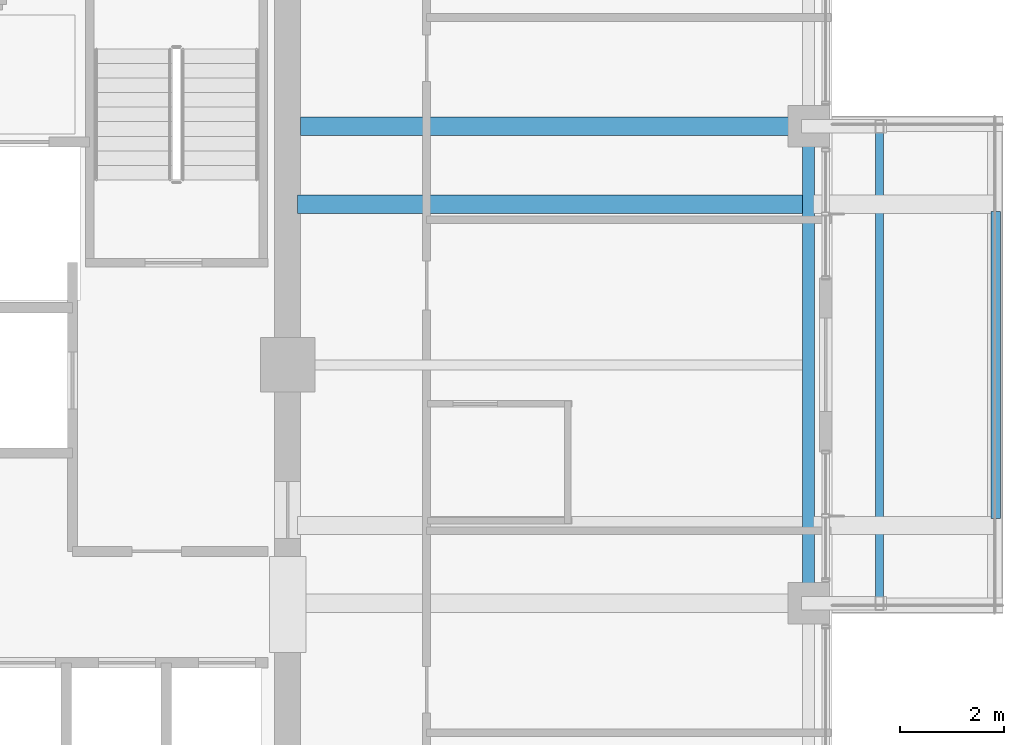
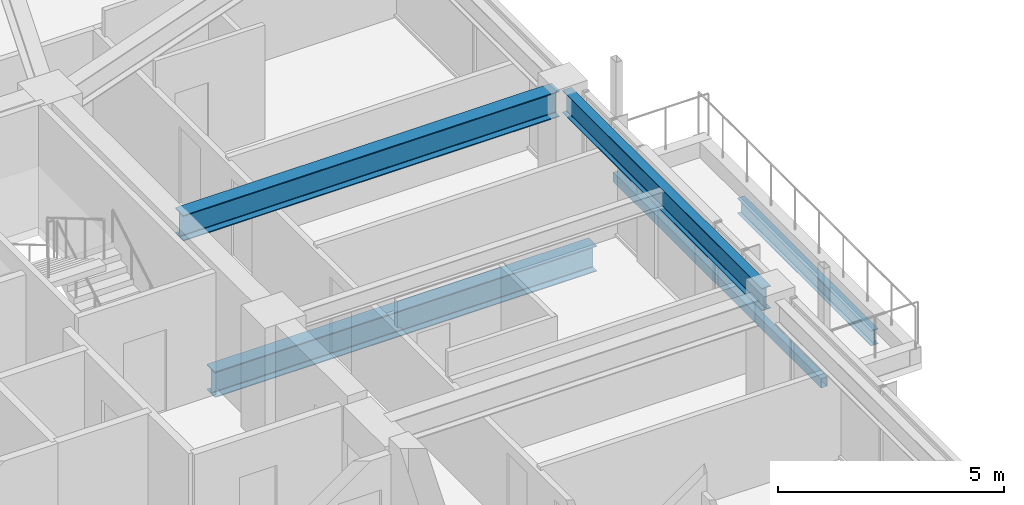
# One storey, part 15 of 38: 4 beams, 1 member.
"""IFC4 building model written with IfcOpenShell, lengths in metres."""

import ifcopenshell
import ifcopenshell.guid

model = None  # the IFC model being written
_history = None  # IfcOwnerHistory: only IFC2X3 demands one
_inside = {}  # id of a spatial element -> (the spatial element, [elements in it])
_under = {}  # id of a project, library or spatial element -> (it, [spatial elements below it])
_declared = {}  # id of a project -> (the project, [libraries it declares])
_typed = {}  # id of a type object -> (the type object, [elements of that type])
_made_of = {}  # id of a material, layer set ... -> (it, [elements and type objects made of it])


def new_model(schema):
    """Start an empty IFC model of exactly this schema.

    Asked for "IFC4X3", IfcOpenShell would pick the latest addendum, in which some entities
    have other attributes; the version numbers below select the first issue.
    IFC2X3 requires an IfcOwnerHistory on every rooted entity: one is made here for all.
    """
    global model, _history
    if schema == "IFC4X3":
        model = ifcopenshell.file(schema_version=(4, 3, 0, 0))
    else:
        model = ifcopenshell.file(schema=schema)
    _inside.clear()
    _under.clear()
    _declared.clear()
    _typed.clear()
    _made_of.clear()
    _history = None
    if model.schema == "IFC2X3":
        org = make("IfcOrganization", Name="unknown")
        user = make(
            "IfcPersonAndOrganization",
            ThePerson=make("IfcPerson", FamilyName="unknown"),
            TheOrganization=org,
        )
        app = make(
            "IfcApplication",
            ApplicationDeveloper=org,
            Version="unknown",
            ApplicationFullName="unknown",
            ApplicationIdentifier="unknown",
        )
        _history = make(
            "IfcOwnerHistory",
            OwningUser=user,
            OwningApplication=app,
            ChangeAction="ADDED",
            CreationDate=0,
        )
    return model


def make(cls, **values):
    """One entity of the class cls with the attributes given. An attribute that is None is left unset."""
    return model.create_entity(
        cls, **{name: value for name, value in values.items() if value is not None}
    )


def rooted(cls, **values):
    """An entity with a GlobalId (a new one), such as an element, a storey or a relation."""
    return make(cls, GlobalId=ifcopenshell.guid.new(), OwnerHistory=_history, **values)


def si_unit(unit_type, name, prefix=None):
    """IfcSIUnit, for example si_unit("LENGTHUNIT", "METRE", prefix="MILLI")."""
    return make("IfcSIUnit", UnitType=unit_type, Prefix=prefix, Name=name)


def assignment(units):
    """IfcUnitAssignment: the units of a project."""
    return None if units is None else make("IfcUnitAssignment", Units=units)


def point(xyz):
    """IfcCartesianPoint."""
    return None if xyz is None else make("IfcCartesianPoint", Coordinates=xyz)


def direction(xyz):
    """IfcDirection."""
    return None if xyz is None else make("IfcDirection", DirectionRatios=xyz)


def frame(location, z_axis=None, x_axis=None):
    """IfcAxis2Placement3D, a coordinate frame: its origin and axes. An axis left out is left unset."""
    return make(
        "IfcAxis2Placement3D",
        Location=point(location),
        Axis=direction(z_axis),
        RefDirection=direction(x_axis),
    )


def frame_2d(location, x_axis=None):
    """IfcAxis2Placement2D, a coordinate frame in the plane: its origin and x axis."""
    return make(
        "IfcAxis2Placement2D", Location=point(location), RefDirection=direction(x_axis)
    )


def origin():
    """The frame at (0, 0, 0) with its axes left unset."""
    return frame((0.0, 0.0, 0.0))


def origin_2d():
    """The frame at (0, 0) in the plane with its x axis left unset."""
    return frame_2d((0.0, 0.0))


def place(relative_to, where):
    """IfcLocalPlacement: puts the frame where relative to a parent placement (None: the world)."""
    return make(
        "IfcLocalPlacement", PlacementRelTo=relative_to, RelativePlacement=where
    )


def context(
    kind, dimensions, precision=None, world=None, true_north=None, identifier=None
):
    """IfcGeometricRepresentationContext, for example the 3D "Model" context."""
    return make(
        "IfcGeometricRepresentationContext",
        ContextIdentifier=identifier,
        ContextType=kind,
        CoordinateSpaceDimension=dimensions,
        Precision=precision,
        WorldCoordinateSystem=world,
        TrueNorth=true_north,
    )


def subcontext(parent, identifier, kind, view, scale=None):
    """IfcGeometricRepresentationSubContext, for example "Body" below "Model"."""
    return make(
        "IfcGeometricRepresentationSubContext",
        ContextIdentifier=identifier,
        ContextType=kind,
        ParentContext=parent,
        TargetScale=scale,
        TargetView=view,
    )


def project(units=None, contexts=None):
    """IfcProject with its units and contexts."""
    return rooted(
        "IfcProject",
        Name="project",
        RepresentationContexts=contexts,
        UnitsInContext=assignment(units),
    )


def spatial(cls, under=None, at=None, **own):
    """A site, building, storey or space (cls), placed at a placement, below another one or the project."""
    s = rooted(cls, ObjectPlacement=at, **own)
    if under is not None:
        _under.setdefault(under.id(), (under, []))[1].append(s)
    return s


def profile(cls, at=None, kind="AREA", **sizes):
    """A parametric profile (cls). Its sizes go by their IFC names, for example OverallWidth=200.0."""
    return make(cls, ProfileType=kind, Position=at, **sizes)


def hollow_rectangle(**sizes):
    """IfcRectangleHollowProfileDef."""
    return profile("IfcRectangleHollowProfileDef", **sizes)


def i_section(**sizes):
    """IfcIShapeProfileDef."""
    return profile("IfcIShapeProfileDef", **sizes)


def extrude(swept, where, along, depth):
    """IfcExtrudedAreaSolid: the profile swept, set in the frame where, extruded along a direction by depth."""
    return make(
        "IfcExtrudedAreaSolid",
        SweptArea=swept,
        Position=where,
        ExtrudedDirection=direction(along),
        Depth=depth,
    )


def shape(context_of_items, identifier, shape_type, items):
    """IfcShapeRepresentation: the items that make up one representation, for example the "Body"."""
    return make(
        "IfcShapeRepresentation",
        ContextOfItems=context_of_items,
        RepresentationIdentifier=identifier,
        RepresentationType=shape_type,
        Items=items,
    )


def material(Name=None, Category=None):
    """IfcMaterial."""
    return make("IfcMaterial", Name=Name, Category=Category)


def material_profile(
    of_material, cross_section, Name=None, Category=None, Priority=None
):
    """IfcMaterialProfile: a cross section and its material."""
    return make(
        "IfcMaterialProfile",
        Name=Name,
        Material=of_material,
        Profile=cross_section,
        Priority=Priority,
        Category=Category,
    )


def profile_set(profiles, Name=None, composite=None):
    """IfcMaterialProfileSet."""
    return make(
        "IfcMaterialProfileSet",
        Name=Name,
        MaterialProfiles=profiles,
        CompositeProfile=composite,
    )


def made_of(thing, what):
    """Note that an element or type object is made of a material, layer set ...; save() writes the relation."""
    if what is not None:
        _made_of.setdefault(what.id(), (what, []))[1].append(thing)
    return thing


def type_object(cls, material=None, **own):
    """A type object (cls), such as IfcWallType, which elements share."""
    return made_of(rooted(cls, **own), material)


def element(
    cls,
    number,
    at=None,
    inside=None,
    cuts=None,
    type_object=None,
    material=None,
    context=None,
    identifier="Body",
    shape_type=None,
    held_by="IfcProductDefinitionShape",
    body=None,
    shapes=None,
    **own,
):
    """One element of the class cls, such as IfcWall. Its Tag is "e" and its number.

    at: its placement. inside: the storey or other place that contains it. cuts: it is an
    opening in that element (IfcRelVoidsElement). A single representation is given by context,
    identifier, shape_type and body (its items); several are given by shapes. held_by: the class
    of the entity that holds the representations. save() writes the other relations.
    """
    e = rooted(cls, Tag="e%d" % number, ObjectPlacement=at, **own)
    if body is not None:
        shapes = [shape(context, identifier, shape_type, body)]
    if shapes is not None:
        e.Representation = make(held_by, Representations=shapes)
    if inside is not None:
        _inside.setdefault(inside.id(), (inside, []))[1].append(e)
    if cuts is not None:
        rooted(
            "IfcRelVoidsElement", RelatingBuildingElement=cuts, RelatedOpeningElement=e
        )
    if type_object is not None:
        _typed.setdefault(type_object.id(), (type_object, []))[1].append(e)
    return made_of(e, material)


def aggregate(whole, parts):
    """IfcRelAggregates: a whole, such as a stair, and the parts it consists of."""
    return rooted("IfcRelAggregates", RelatingObject=whole, RelatedObjects=parts)


def save(model, path):
    """Write the relations noted so far, then the file.

    IfcRelAggregates (storeys below a building ...), IfcRelContainedInSpatialStructure (elements
    in a storey), IfcRelDefinesByType, IfcRelAssociatesMaterial and IfcRelDeclares: one each for
    every whole, place, type object, material and project.
    """
    for whole, parts in _under.values():
        aggregate(whole, parts)
    for where, things in _inside.values():
        rooted(
            "IfcRelContainedInSpatialStructure",
            RelatedElements=things,
            RelatingStructure=where,
        )
    for kind, things in _typed.values():
        rooted("IfcRelDefinesByType", RelatedObjects=things, RelatingType=kind)
    for what, things in _made_of.values():
        rooted("IfcRelAssociatesMaterial", RelatedObjects=things, RelatingMaterial=what)
    for by, libraries in _declared.values():
        rooted("IfcRelDeclares", RelatingContext=by, RelatedDefinitions=libraries)
    model.write(path)


model = new_model("IFC4")

# Units and contexts
model_context = context("Model", 3, precision=1e-05, world=origin(), true_north=direction((0.0, 1.0)))
body_context = subcontext(model_context, "Body", "Model", "MODEL_VIEW")
ifc_project = project(units=[si_unit("LENGTHUNIT", "METRE"), si_unit("AREAUNIT", "SQUARE_METRE"), si_unit("VOLUMEUNIT", "CUBIC_METRE"), si_unit("PLANEANGLEUNIT", "RADIAN"), si_unit("MASSUNIT", "GRAM", prefix="KILO")], contexts=[model_context])

# Site, building, storey
site_placement = place(None, origin())
site = spatial("IfcSite", under=ifc_project, at=site_placement, CompositionType="ELEMENT")
building_placement = place(site_placement, origin())
building = spatial("IfcBuilding", under=site, at=building_placement, Name="Kolvaren Belvedere", CompositionType="ELEMENT")
storey_placement = place(building_placement, frame((0.0, 0.0, 206.39990234375)))
storey = spatial("IfcBuildingStorey", under=building, at=storey_placement, Name="L60", CompositionType="ELEMENT", Elevation=206.39990234375)

# Beams
ifc_material_1 = material(Name="Structural steel ASTM A992 Grade 50", Category="steel")
ifc_material_profile_1 = material_profile(ifc_material_1, i_section(OverallWidth=0.180908203125, OverallDepth=0.4169921875, WebThickness=0.010986328125, FlangeThickness=0.018310546875, FilletRadius=0.013916015625, at=origin_2d()), Name="W16X57")
ifc_profile_set_1 = profile_set([ifc_material_profile_1], Name="Structural steel ASTM A992 Grade 50")
beam_type_1 = type_object("IfcBeamType", Name="BM-EDGE-W16X57", PredefinedType="BEAM", material=ifc_profile_set_1)
beam_1_placement = place(storey_placement, frame((23.56005859375, -2.9599609375, -0.428466796875), z_axis=(0.0, 1.0, 0.0), x_axis=(-1.0, 0.0, 0.0)))
element("IfcBeam", 1, at=beam_1_placement, inside=storey, type_object=beam_type_1, Name="L60 Balcony Tip Header Beam SPIRAL-09-E", PredefinedType="BEAM", context=body_context, shape_type="SweptSolid", body=[
    extrude(i_section(OverallWidth=0.180908203125, OverallDepth=0.4169921875, WebThickness=0.010986328125, FlangeThickness=0.018310546875, FilletRadius=0.013916015625, at=origin_2d()), origin(), (0.0, 0.0, 1.0), 5.919921875),
])
ifc_material_2 = material(Name="Structural steel ASTM A992 Grade 50", Category="steel")
ifc_material_profile_2 = material_profile(ifc_material_2, i_section(OverallWidth=0.35498046875, OverallDepth=0.696044921875, WebThickness=0.015380859375, FlangeThickness=0.02490234375, FilletRadius=0.02197265625, at=origin_2d()), Name="W27X146")
ifc_profile_set_2 = profile_set([ifc_material_profile_2], Name="Structural steel ASTM A992 Grade 50")
beam_type_2 = type_object("IfcBeamType", Name="BM-GIRD-W27X146", PredefinedType="BEAM", material=ifc_profile_set_2)
beam_2_placement = place(storey_placement, frame((10.090087890625, 3.10009765625, -0.56787109375), z_axis=(1.0, 0.0, 0.0), x_axis=(0.0, 1.0, 0.0)))
element("IfcBeam", 2, at=beam_2_placement, inside=storey, type_object=beam_type_2, Name="L60 Balcony Interior Back-Span Girder SPIRAL-09-E-2", PredefinedType="BEAM", context=body_context, shape_type="SweptSolid", body=[
    extrude(i_section(OverallWidth=0.35498046875, OverallDepth=0.696044921875, WebThickness=0.015380859375, FlangeThickness=0.02490234375, FilletRadius=0.02197265625, at=origin_2d()), origin(), (0.0, 0.0, 1.0), 9.764892578125),
])
beam_3_placement = place(storey_placement, frame((10.14990234375, 4.60009765625, 2.732177734375), z_axis=(1.0, 0.0, 0.0), x_axis=(0.0, 1.0, 0.0)))
element("IfcBeam", 3, at=beam_3_placement, inside=storey, type_object=beam_type_2, Name="L60 East Radial Girder P", PredefinedType="BEAM", context=body_context, shape_type="SweptSolid", body=[
    extrude(i_section(OverallWidth=0.35498046875, OverallDepth=0.696044921875, WebThickness=0.015380859375, FlangeThickness=0.02490234375, FilletRadius=0.02197265625, at=origin_2d()), origin(), (0.0, 0.0, 1.0), 9.6201171875),
])
ifc_material_3 = material(Name="Structural steel ASTM A992 Grade 50", Category="steel")
ifc_material_profile_3 = material_profile(ifc_material_3, i_section(OverallWidth=0.22900390625, OverallDepth=0.612060546875, WebThickness=0.011962890625, FlangeThickness=0.01953125, FilletRadius=0.01806640625, at=origin_2d()), Name="W24X84")
ifc_profile_set_3 = profile_set([ifc_material_profile_3], Name="Structural steel ASTM A992 Grade 50")
beam_type_3 = type_object("IfcBeamType", Name="BM-SPAN-W24X84", PredefinedType="SPANDREL", material=ifc_profile_set_3)
beam_4_placement = place(storey_placement, frame((19.949951171875, -4.419921875, 2.774169921875), z_axis=(0.0, 1.0, 0.0), x_axis=(-1.0, 0.0, 0.0)))
element("IfcBeam", 4, at=beam_4_placement, inside=storey, type_object=beam_type_3, Name="L60 Perimeter Spandrel E2-E3", PredefinedType="SPANDREL", context=body_context, shape_type="SweptSolid", body=[
    extrude(i_section(OverallWidth=0.22900390625, OverallDepth=0.612060546875, WebThickness=0.011962890625, FlangeThickness=0.01953125, FilletRadius=0.01806640625, at=origin_2d()), origin(), (0.0, 0.0, 1.0), 8.83984375),
])

# Member
ifc_material_4 = material(Name="Anodised pale-metal aluminium AA 6063-T6", Category="aluminium")
ifc_material_profile_4 = material_profile(ifc_material_4, hollow_rectangle(XDim=0.159912109375, YDim=0.260009765625, WallThickness=0.006591796875, at=origin_2d()), Name="ALU-PF-260X160")
ifc_profile_set_4 = profile_set([ifc_material_profile_4], Name="Anodised pale-metal aluminium AA 6063-T6")
member_type = type_object("IfcMemberType", Name="PF-FRAME-260", PredefinedType="USERDEFINED", material=ifc_profile_set_4)
member_placement = place(storey_placement, frame((21.320068359375, 4.60009765625, 0.130126953125), z_axis=(0.0, -1.0, 0.0), x_axis=(1.0, 0.0, 0.0)))
element("IfcMember", 5, at=member_placement, inside=storey, type_object=member_type, Name="L60 Outboard Picture-Frame Sill E", ObjectType="PICTURE FRAME FIN", PredefinedType="USERDEFINED", context=body_context, shape_type="SweptSolid", body=[
    extrude(hollow_rectangle(XDim=0.159912109375, YDim=0.260009765625, WallThickness=0.006591796875, at=origin_2d()), origin(), (0.0, 0.0, 1.0), 9.2001953125),
])

save(model, "model.ifc")
